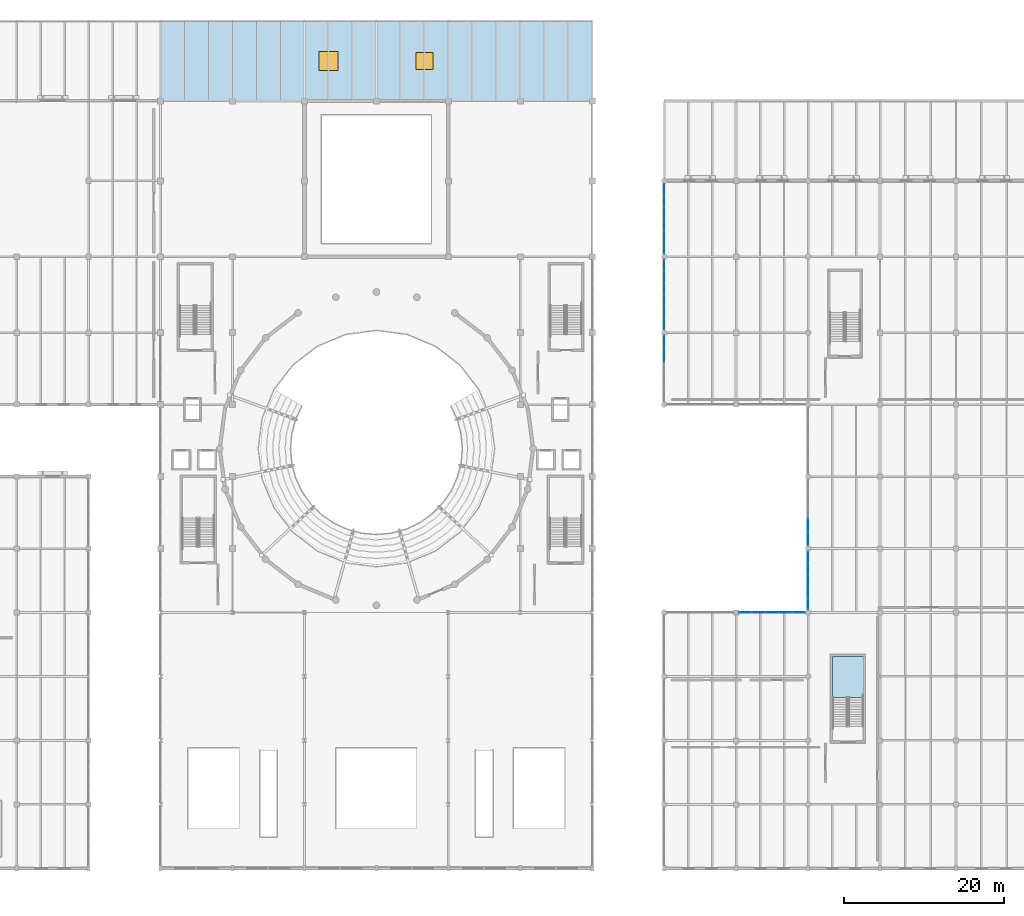
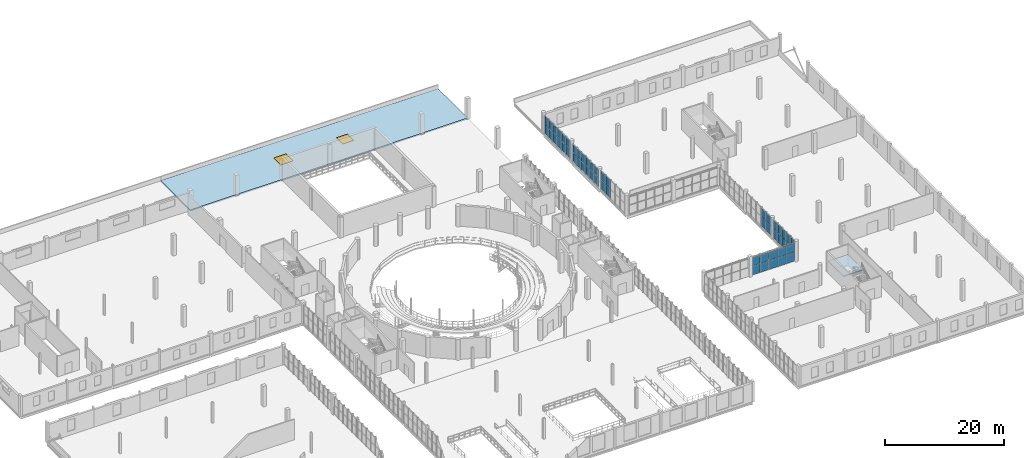
# One storey, part 56 of 85: 52 plates, 2 slabs, 2 windows, 2 openings, 7 elements without a shape of their own.
"""IFC4 building model written with IfcOpenShell, lengths in metres."""

from ifc_helpers import new_model, si_unit, direction, frame, origin, origin_2d, place, context, subcontext, project, spatial, polyline, rectangle, outline, extrude, material, layer, layer_set, type_object, element, fill, aggregate, save


model = new_model("IFC4")

# Units and contexts
model_context = context("Model", 3, precision=1e-05, world=origin(), true_north=direction((0.0, 1.0)))
body_context = subcontext(model_context, "Body", "Model", "MODEL_VIEW")
ifc_project = project(units=[si_unit("LENGTHUNIT", "METRE"), si_unit("AREAUNIT", "SQUARE_METRE"), si_unit("VOLUMEUNIT", "CUBIC_METRE"), si_unit("PLANEANGLEUNIT", "RADIAN"), si_unit("MASSUNIT", "GRAM", prefix="KILO")], contexts=[model_context])

# Site, building, storey
site_placement = place(None, origin())
site = spatial("IfcSite", under=ifc_project, at=site_placement, CompositionType="ELEMENT")
building_placement = place(site_placement, origin())
building = spatial("IfcBuilding", under=site, at=building_placement, Name="Marnock Terrace Opera House", CompositionType="ELEMENT")
storey_placement = place(building_placement, frame((0.0, 0.0, 10.199951171875)))
storey = spatial("IfcBuildingStorey", under=building, at=storey_placement, Name="L02", CompositionType="ELEMENT", Elevation=10.199951171875)

# Curtain wall, plates
ifc_material_1 = material(Name="Anodised architectural bronze aluminium framing", Category="aluminium")
ifc_layer_1 = layer(ifc_material_1, 0.159912109375)
ifc_layer_set_1 = layer_set([ifc_layer_1], Name="Anodised architectural bronze aluminium framing")
curtain_wall_type_1 = type_object("IfcCurtainWallType", Name="CW-LOGGIA-86x42", PredefinedType="NOTDEFINED", material=ifc_layer_set_1)
curtain_wall_1_placement = place(storey_placement, origin())
curtain_wall_1 = element("IfcCurtainWall", 1, at=curtain_wall_1_placement, inside=storey, type_object=curtain_wall_type_1, Name="L02 glazed Beaux-Arts colonnade curtain wall CW-V5-L02-CS2", PredefinedType="NOTDEFINED")
ifc_material_2 = material(Name="Double-glazed acoustic low-E laminated glass", Category="glass")
ifc_layer_2 = layer(ifc_material_2, 0.028076171875)
ifc_layer_set_2 = layer_set([ifc_layer_2], Name="Double-glazed acoustic low-E laminated glass")
plate_type = type_object("IfcPlateType", Name="CWP-GLZ-28", PredefinedType="CURTAIN_PANEL", material=ifc_layer_set_2)
plate_1_placement = place(storey_placement, frame((128.169189453125, 40.0, 0.06005859375), z_axis=(0.0, 0.0, 1.0), x_axis=(1.0, 0.0, 0.0)))
plate_1 = element("IfcPlate", 2, at=plate_1_placement, type_object=plate_type, Name="CW-66 panel 1.1", PredefinedType="CURTAIN_PANEL", context=body_context, shape_type="SweptSolid", body=[
    extrude(rectangle(XDim=1.57666015625, YDim=0.028076171875, at=origin_2d()), origin(), (0.0, 0.0, 1.0), 1.822021484375),
])
plate_2_placement = place(storey_placement, frame((128.169189453125, 40.0, 1.94189453125), z_axis=(0.0, 0.0, 1.0), x_axis=(1.0, 0.0, 0.0)))
plate_2 = element("IfcPlate", 3, at=plate_2_placement, type_object=plate_type, Name="CW-66 panel 1.2", PredefinedType="CURTAIN_PANEL", context=body_context, shape_type="SweptSolid", body=[
    extrude(rectangle(XDim=1.57666015625, YDim=0.028076171875, at=origin_2d()), origin(), (0.0, 0.0, 1.0), 1.675048828125),
])
plate_3_placement = place(storey_placement, frame((129.82080078125, 40.0, 0.06005859375), z_axis=(0.0, 0.0, 1.0), x_axis=(1.0, 0.0, 0.0)))
plate_3 = element("IfcPlate", 4, at=plate_3_placement, type_object=plate_type, Name="CW-66 panel 2.1", PredefinedType="CURTAIN_PANEL", context=body_context, shape_type="SweptSolid", body=[
    extrude(rectangle(XDim=1.606689453125, YDim=0.028076171875, at=origin_2d()), origin(), (0.0, 0.0, 1.0), 1.822021484375),
])
plate_4_placement = place(storey_placement, frame((129.82080078125, 40.0, 1.94189453125), z_axis=(0.0, 0.0, 1.0), x_axis=(1.0, 0.0, 0.0)))
plate_4 = element("IfcPlate", 5, at=plate_4_placement, type_object=plate_type, Name="CW-66 panel 2.2", PredefinedType="CURTAIN_PANEL", context=body_context, shape_type="SweptSolid", body=[
    extrude(rectangle(XDim=1.606689453125, YDim=0.028076171875, at=origin_2d()), origin(), (0.0, 0.0, 1.0), 1.675048828125),
])
plate_5_placement = place(storey_placement, frame((131.487548828125, 40.0, 0.06005859375), z_axis=(0.0, 0.0, 1.0), x_axis=(1.0, 0.0, 0.0)))
plate_5 = element("IfcPlate", 6, at=plate_5_placement, type_object=plate_type, Name="CW-66 panel 3.1", PredefinedType="CURTAIN_PANEL", context=body_context, shape_type="SweptSolid", body=[
    extrude(rectangle(XDim=1.606689453125, YDim=0.028076171875, at=origin_2d()), origin(), (0.0, 0.0, 1.0), 1.822021484375),
])
plate_6_placement = place(storey_placement, frame((131.487548828125, 40.0, 1.94189453125), z_axis=(0.0, 0.0, 1.0), x_axis=(1.0, 0.0, 0.0)))
plate_6 = element("IfcPlate", 7, at=plate_6_placement, type_object=plate_type, Name="CW-66 panel 3.2", PredefinedType="CURTAIN_PANEL", context=body_context, shape_type="SweptSolid", body=[
    extrude(rectangle(XDim=1.606689453125, YDim=0.028076171875, at=origin_2d()), origin(), (0.0, 0.0, 1.0), 1.675048828125),
])
plate_7_placement = place(storey_placement, frame((133.154052734375, 40.0, 0.06005859375), z_axis=(0.0, 0.0, 1.0), x_axis=(1.0, 0.0, 0.0)))
plate_7 = element("IfcPlate", 8, at=plate_7_placement, type_object=plate_type, Name="CW-66 panel 4.1", PredefinedType="CURTAIN_PANEL", context=body_context, shape_type="SweptSolid", body=[
    extrude(rectangle(XDim=1.606689453125, YDim=0.028076171875, at=origin_2d()), origin(), (0.0, 0.0, 1.0), 1.822021484375),
])
plate_8_placement = place(storey_placement, frame((133.154052734375, 40.0, 1.94189453125), z_axis=(0.0, 0.0, 1.0), x_axis=(1.0, 0.0, 0.0)))
plate_8 = element("IfcPlate", 9, at=plate_8_placement, type_object=plate_type, Name="CW-66 panel 4.2", PredefinedType="CURTAIN_PANEL", context=body_context, shape_type="SweptSolid", body=[
    extrude(rectangle(XDim=1.606689453125, YDim=0.028076171875, at=origin_2d()), origin(), (0.0, 0.0, 1.0), 1.675048828125),
])
plate_9_placement = place(storey_placement, frame((134.8056640625, 40.0, 0.06005859375), z_axis=(0.0, 0.0, 1.0), x_axis=(1.0, 0.0, 0.0)))
plate_9 = element("IfcPlate", 10, at=plate_9_placement, type_object=plate_type, Name="CW-66 panel 5.1", PredefinedType="CURTAIN_PANEL", context=body_context, shape_type="SweptSolid", body=[
    extrude(rectangle(XDim=1.57666015625, YDim=0.028076171875, at=origin_2d()), origin(), (0.0, 0.0, 1.0), 1.822021484375),
])
plate_10_placement = place(storey_placement, frame((134.8056640625, 40.0, 1.94189453125), z_axis=(0.0, 0.0, 1.0), x_axis=(1.0, 0.0, 0.0)))
plate_10 = element("IfcPlate", 11, at=plate_10_placement, type_object=plate_type, Name="CW-66 panel 5.2", PredefinedType="CURTAIN_PANEL", context=body_context, shape_type="SweptSolid", body=[
    extrude(rectangle(XDim=1.57666015625, YDim=0.028076171875, at=origin_2d()), origin(), (0.0, 0.0, 1.0), 1.675048828125),
])
aggregate(curtain_wall_1, [plate_1, plate_2, plate_3, plate_4, plate_5, plate_6, plate_7, plate_8, plate_9, plate_10])

curtain_wall_2_placement = place(storey_placement, origin())
curtain_wall_2 = element("IfcCurtainWall", 12, at=curtain_wall_2_placement, inside=storey, type_object=curtain_wall_type_1, Name="L02 glazed Beaux-Arts colonnade curtain wall CW-V5-L02-CE1", PredefinedType="NOTDEFINED")
plate_11_placement = place(storey_placement, frame((136.0, 41.091796875, 0.06005859375), z_axis=(0.0, 0.0, 1.0), x_axis=(0.0, 1.0, 0.0)))
plate_11 = element("IfcPlate", 13, at=plate_11_placement, type_object=plate_type, Name="CW-66 panel 1.1", PredefinedType="CURTAIN_PANEL", context=body_context, shape_type="SweptSolid", body=[
    extrude(rectangle(XDim=1.37158203125, YDim=0.028076171875, at=origin_2d()), origin(), (0.0, 0.0, 1.0), 1.914306640625),
])
plate_12_placement = place(storey_placement, frame((136.0, 41.091796875, 2.0341796875), z_axis=(0.0, 0.0, 1.0), x_axis=(0.0, 1.0, 0.0)))
plate_12 = element("IfcPlate", 14, at=plate_12_placement, type_object=plate_type, Name="CW-66 panel 1.2", PredefinedType="CURTAIN_PANEL", context=body_context, shape_type="SweptSolid", body=[
    extrude(rectangle(XDim=1.37158203125, YDim=0.028076171875, at=origin_2d()), origin(), (0.0, 0.0, 1.0), 1.760009765625),
])
plate_13_placement = place(storey_placement, frame((136.0, 42.538330078125, 0.06005859375), z_axis=(0.0, 0.0, 1.0), x_axis=(0.0, 1.0, 0.0)))
plate_13 = element("IfcPlate", 15, at=plate_13_placement, type_object=plate_type, Name="CW-66 panel 2.1", PredefinedType="CURTAIN_PANEL", context=body_context, shape_type="SweptSolid", body=[
    extrude(rectangle(XDim=1.401611328125, YDim=0.028076171875, at=origin_2d()), origin(), (0.0, 0.0, 1.0), 1.914306640625),
])
plate_14_placement = place(storey_placement, frame((136.0, 42.538330078125, 2.0341796875), z_axis=(0.0, 0.0, 1.0), x_axis=(0.0, 1.0, 0.0)))
plate_14 = element("IfcPlate", 16, at=plate_14_placement, type_object=plate_type, Name="CW-66 panel 2.2", PredefinedType="CURTAIN_PANEL", context=body_context, shape_type="SweptSolid", body=[
    extrude(rectangle(XDim=1.401611328125, YDim=0.028076171875, at=origin_2d()), origin(), (0.0, 0.0, 1.0), 1.760009765625),
])
plate_15_placement = place(storey_placement, frame((136.0, 44.0, 0.06005859375), z_axis=(0.0, 0.0, 1.0), x_axis=(0.0, 1.0, 0.0)))
plate_15 = element("IfcPlate", 17, at=plate_15_placement, type_object=plate_type, Name="CW-66 panel 3.1", PredefinedType="CURTAIN_PANEL", context=body_context, shape_type="SweptSolid", body=[
    extrude(rectangle(XDim=1.401611328125, YDim=0.028076171875, at=origin_2d()), origin(), (0.0, 0.0, 1.0), 1.914306640625),
])
plate_16_placement = place(storey_placement, frame((136.0, 44.0, 2.0341796875), z_axis=(0.0, 0.0, 1.0), x_axis=(0.0, 1.0, 0.0)))
plate_16 = element("IfcPlate", 18, at=plate_16_placement, type_object=plate_type, Name="CW-66 panel 3.2", PredefinedType="CURTAIN_PANEL", context=body_context, shape_type="SweptSolid", body=[
    extrude(rectangle(XDim=1.401611328125, YDim=0.028076171875, at=origin_2d()), origin(), (0.0, 0.0, 1.0), 1.760009765625),
])
plate_17_placement = place(storey_placement, frame((136.0, 45.461669921875, 0.06005859375), z_axis=(0.0, 0.0, 1.0), x_axis=(0.0, 1.0, 0.0)))
plate_17 = element("IfcPlate", 19, at=plate_17_placement, type_object=plate_type, Name="CW-66 panel 4.1", PredefinedType="CURTAIN_PANEL", context=body_context, shape_type="SweptSolid", body=[
    extrude(rectangle(XDim=1.401611328125, YDim=0.028076171875, at=origin_2d()), origin(), (0.0, 0.0, 1.0), 1.914306640625),
])
plate_18_placement = place(storey_placement, frame((136.0, 45.461669921875, 2.0341796875), z_axis=(0.0, 0.0, 1.0), x_axis=(0.0, 1.0, 0.0)))
plate_18 = element("IfcPlate", 20, at=plate_18_placement, type_object=plate_type, Name="CW-66 panel 4.2", PredefinedType="CURTAIN_PANEL", context=body_context, shape_type="SweptSolid", body=[
    extrude(rectangle(XDim=1.401611328125, YDim=0.028076171875, at=origin_2d()), origin(), (0.0, 0.0, 1.0), 1.760009765625),
])
plate_19_placement = place(storey_placement, frame((136.0, 46.908203125, 0.06005859375), z_axis=(0.0, 0.0, 1.0), x_axis=(0.0, 1.0, 0.0)))
plate_19 = element("IfcPlate", 21, at=plate_19_placement, type_object=plate_type, Name="CW-66 panel 5.1", PredefinedType="CURTAIN_PANEL", context=body_context, shape_type="SweptSolid", body=[
    extrude(rectangle(XDim=1.37158203125, YDim=0.028076171875, at=origin_2d()), origin(), (0.0, 0.0, 1.0), 1.914306640625),
])
plate_20_placement = place(storey_placement, frame((136.0, 46.908203125, 2.0341796875), z_axis=(0.0, 0.0, 1.0), x_axis=(0.0, 1.0, 0.0)))
plate_20 = element("IfcPlate", 22, at=plate_20_placement, type_object=plate_type, Name="CW-66 panel 5.2", PredefinedType="CURTAIN_PANEL", context=body_context, shape_type="SweptSolid", body=[
    extrude(rectangle(XDim=1.37158203125, YDim=0.028076171875, at=origin_2d()), origin(), (0.0, 0.0, 1.0), 1.760009765625),
])
aggregate(curtain_wall_2, [plate_11, plate_12, plate_13, plate_14, plate_15, plate_16, plate_17, plate_18, plate_19, plate_20])

curtain_wall_3_placement = place(storey_placement, origin())
curtain_wall_3 = element("IfcCurtainWall", 23, at=curtain_wall_3_placement, inside=storey, type_object=curtain_wall_type_1, Name="L02 glazed Beaux-Arts colonnade curtain wall CW-V5-L02-CE2", PredefinedType="NOTDEFINED")
plate_21_placement = place(storey_placement, frame((136.0, 49.19189453125, 0.06005859375), z_axis=(0.0, 0.0, 1.0), x_axis=(0.0, 1.0, 0.0)))
plate_21 = element("IfcPlate", 24, at=plate_21_placement, type_object=plate_type, Name="CW-66 panel 1.1", PredefinedType="CURTAIN_PANEL", context=body_context, shape_type="SweptSolid", body=[
    extrude(rectangle(XDim=1.571533203125, YDim=0.028076171875, at=origin_2d()), origin(), (0.0, 0.0, 1.0), 1.914306640625),
])
plate_22_placement = place(storey_placement, frame((136.0, 49.19189453125, 2.0341796875), z_axis=(0.0, 0.0, 1.0), x_axis=(0.0, 1.0, 0.0)))
plate_22 = element("IfcPlate", 25, at=plate_22_placement, type_object=plate_type, Name="CW-66 panel 1.2", PredefinedType="CURTAIN_PANEL", context=body_context, shape_type="SweptSolid", body=[
    extrude(rectangle(XDim=1.571533203125, YDim=0.028076171875, at=origin_2d()), origin(), (0.0, 0.0, 1.0), 1.760009765625),
])
plate_23_placement = place(storey_placement, frame((136.0, 50.83837890625, 0.06005859375), z_axis=(0.0, 0.0, 1.0), x_axis=(0.0, 1.0, 0.0)))
plate_23 = element("IfcPlate", 26, at=plate_23_placement, type_object=plate_type, Name="CW-66 panel 2.1", PredefinedType="CURTAIN_PANEL", context=body_context, shape_type="SweptSolid", body=[
    extrude(rectangle(XDim=1.6015625, YDim=0.028076171875, at=origin_2d()), origin(), (0.0, 0.0, 1.0), 1.914306640625),
])
plate_24_placement = place(storey_placement, frame((136.0, 50.83837890625, 2.0341796875), z_axis=(0.0, 0.0, 1.0), x_axis=(0.0, 1.0, 0.0)))
plate_24 = element("IfcPlate", 27, at=plate_24_placement, type_object=plate_type, Name="CW-66 panel 2.2", PredefinedType="CURTAIN_PANEL", context=body_context, shape_type="SweptSolid", body=[
    extrude(rectangle(XDim=1.6015625, YDim=0.028076171875, at=origin_2d()), origin(), (0.0, 0.0, 1.0), 1.760009765625),
])
aggregate(curtain_wall_3, [plate_21, plate_22, plate_23, plate_24])

curtain_wall_4_placement = place(storey_placement, origin())
curtain_wall_4 = element("IfcCurtainWall", 28, at=curtain_wall_4_placement, inside=storey, type_object=curtain_wall_type_1, Name="L02 glazed Beaux-Arts colonnade curtain wall CW-V5-L02-W5", PredefinedType="NOTDEFINED")
plate_25_placement = place(storey_placement, frame((118.0, 72.16162109375, 0.06005859375), z_axis=(0.0, 0.0, 1.0), x_axis=(0.0, 1.0, 0.0)))
plate_25 = element("IfcPlate", 29, at=plate_25_placement, type_object=plate_type, Name="CW-66 panel 4.1", PredefinedType="CURTAIN_PANEL", context=body_context, shape_type="SweptSolid", body=[
    extrude(rectangle(XDim=1.6015625, YDim=0.028076171875, at=origin_2d()), origin(), (0.0, 0.0, 1.0), 1.914306640625),
])
plate_26_placement = place(storey_placement, frame((118.0, 72.16162109375, 2.0341796875), z_axis=(0.0, 0.0, 1.0), x_axis=(0.0, 1.0, 0.0)))
plate_26 = element("IfcPlate", 30, at=plate_26_placement, type_object=plate_type, Name="CW-66 panel 4.2", PredefinedType="CURTAIN_PANEL", context=body_context, shape_type="SweptSolid", body=[
    extrude(rectangle(XDim=1.6015625, YDim=0.028076171875, at=origin_2d()), origin(), (0.0, 0.0, 1.0), 1.760009765625),
])
plate_27_placement = place(storey_placement, frame((118.0, 73.80810546875, 0.06005859375), z_axis=(0.0, 0.0, 1.0), x_axis=(0.0, 1.0, 0.0)))
plate_27 = element("IfcPlate", 31, at=plate_27_placement, type_object=plate_type, Name="CW-66 panel 5.1", PredefinedType="CURTAIN_PANEL", context=body_context, shape_type="SweptSolid", body=[
    extrude(rectangle(XDim=1.571533203125, YDim=0.028076171875, at=origin_2d()), origin(), (0.0, 0.0, 1.0), 1.914306640625),
])
plate_28_placement = place(storey_placement, frame((118.0, 73.80810546875, 2.0341796875), z_axis=(0.0, 0.0, 1.0), x_axis=(0.0, 1.0, 0.0)))
plate_28 = element("IfcPlate", 32, at=plate_28_placement, type_object=plate_type, Name="CW-66 panel 5.2", PredefinedType="CURTAIN_PANEL", context=body_context, shape_type="SweptSolid", body=[
    extrude(rectangle(XDim=1.571533203125, YDim=0.028076171875, at=origin_2d()), origin(), (0.0, 0.0, 1.0), 1.760009765625),
])
aggregate(curtain_wall_4, [plate_25, plate_26, plate_27, plate_28])

ifc_layer_3 = layer(ifc_material_1, 0.159912109375)
ifc_layer_set_3 = layer_set([ifc_layer_3], Name="Anodised architectural bronze aluminium framing")
curtain_wall_type_2 = type_object("IfcCurtainWallType", Name="CW-FOYER-95x42", PredefinedType="NOTDEFINED", material=ifc_layer_set_3)
curtain_wall_5_placement = place(storey_placement, origin())
curtain_wall_5 = element("IfcCurtainWall", 33, at=curtain_wall_5_placement, inside=storey, type_object=curtain_wall_type_2, Name="L02 glazed Beaux-Arts colonnade curtain wall CW-V5-L02-W6", PredefinedType="NOTDEFINED")
plate_29_placement = place(storey_placement, frame((118.0, 76.094970703125, 0.06005859375), z_axis=(0.0, 0.0, 1.0), x_axis=(0.0, 1.0, 0.0)))
plate_29 = element("IfcPlate", 34, at=plate_29_placement, type_object=plate_type, Name="CW-17 panel 1.1", PredefinedType="CURTAIN_PANEL", context=body_context, shape_type="SweptSolid", body=[
    extrude(rectangle(XDim=1.3779296875, YDim=0.028076171875, at=origin_2d()), origin(), (0.0, 0.0, 1.0), 1.7861328125),
])
plate_30_placement = place(storey_placement, frame((118.0, 76.094970703125, 1.90625), z_axis=(0.0, 0.0, 1.0), x_axis=(0.0, 1.0, 0.0)))
plate_30 = element("IfcPlate", 35, at=plate_30_placement, type_object=plate_type, Name="CW-17 panel 1.2", PredefinedType="CURTAIN_PANEL", context=body_context, shape_type="SweptSolid", body=[
    extrude(rectangle(XDim=1.3779296875, YDim=0.028076171875, at=origin_2d()), origin(), (0.0, 0.0, 1.0), 1.641845703125),
])
plate_31_placement = place(storey_placement, frame((118.0, 77.548095703125, 0.06005859375), z_axis=(0.0, 0.0, 1.0), x_axis=(0.0, 1.0, 0.0)))
plate_31 = element("IfcPlate", 36, at=plate_31_placement, type_object=plate_type, Name="CW-17 panel 2.1", PredefinedType="CURTAIN_PANEL", context=body_context, shape_type="SweptSolid", body=[
    extrude(rectangle(XDim=1.407958984375, YDim=0.028076171875, at=origin_2d()), origin(), (0.0, 0.0, 1.0), 1.7861328125),
])
plate_32_placement = place(storey_placement, frame((118.0, 77.548095703125, 1.90625), z_axis=(0.0, 0.0, 1.0), x_axis=(0.0, 1.0, 0.0)))
plate_32 = element("IfcPlate", 37, at=plate_32_placement, type_object=plate_type, Name="CW-17 panel 2.2", PredefinedType="CURTAIN_PANEL", context=body_context, shape_type="SweptSolid", body=[
    extrude(rectangle(XDim=1.407958984375, YDim=0.028076171875, at=origin_2d()), origin(), (0.0, 0.0, 1.0), 1.641845703125),
])
plate_33_placement = place(storey_placement, frame((118.0, 79.01611328125, 0.06005859375), z_axis=(0.0, 0.0, 1.0), x_axis=(0.0, 1.0, 0.0)))
plate_33 = element("IfcPlate", 38, at=plate_33_placement, type_object=plate_type, Name="CW-17 panel 3.1", PredefinedType="CURTAIN_PANEL", context=body_context, shape_type="SweptSolid", body=[
    extrude(rectangle(XDim=1.407958984375, YDim=0.028076171875, at=origin_2d()), origin(), (0.0, 0.0, 1.0), 1.7861328125),
])
plate_34_placement = place(storey_placement, frame((118.0, 79.01611328125, 1.90625), z_axis=(0.0, 0.0, 1.0), x_axis=(0.0, 1.0, 0.0)))
plate_34 = element("IfcPlate", 39, at=plate_34_placement, type_object=plate_type, Name="CW-17 panel 3.2", PredefinedType="CURTAIN_PANEL", context=body_context, shape_type="SweptSolid", body=[
    extrude(rectangle(XDim=1.407958984375, YDim=0.028076171875, at=origin_2d()), origin(), (0.0, 0.0, 1.0), 1.641845703125),
])
plate_35_placement = place(storey_placement, frame((118.0, 80.48388671875, 0.06005859375), z_axis=(0.0, 0.0, 1.0), x_axis=(0.0, 1.0, 0.0)))
plate_35 = element("IfcPlate", 40, at=plate_35_placement, type_object=plate_type, Name="CW-17 panel 4.1", PredefinedType="CURTAIN_PANEL", context=body_context, shape_type="SweptSolid", body=[
    extrude(rectangle(XDim=1.407958984375, YDim=0.028076171875, at=origin_2d()), origin(), (0.0, 0.0, 1.0), 1.7861328125),
])
plate_36_placement = place(storey_placement, frame((118.0, 80.48388671875, 1.90625), z_axis=(0.0, 0.0, 1.0), x_axis=(0.0, 1.0, 0.0)))
plate_36 = element("IfcPlate", 41, at=plate_36_placement, type_object=plate_type, Name="CW-17 panel 4.2", PredefinedType="CURTAIN_PANEL", context=body_context, shape_type="SweptSolid", body=[
    extrude(rectangle(XDim=1.407958984375, YDim=0.028076171875, at=origin_2d()), origin(), (0.0, 0.0, 1.0), 1.641845703125),
])
plate_37_placement = place(storey_placement, frame((118.0, 81.951904296875, 0.06005859375), z_axis=(0.0, 0.0, 1.0), x_axis=(0.0, 1.0, 0.0)))
plate_37 = element("IfcPlate", 42, at=plate_37_placement, type_object=plate_type, Name="CW-17 panel 5.1", PredefinedType="CURTAIN_PANEL", context=body_context, shape_type="SweptSolid", body=[
    extrude(rectangle(XDim=1.407958984375, YDim=0.028076171875, at=origin_2d()), origin(), (0.0, 0.0, 1.0), 1.7861328125),
])
plate_38_placement = place(storey_placement, frame((118.0, 81.951904296875, 1.90625), z_axis=(0.0, 0.0, 1.0), x_axis=(0.0, 1.0, 0.0)))
plate_38 = element("IfcPlate", 43, at=plate_38_placement, type_object=plate_type, Name="CW-17 panel 5.2", PredefinedType="CURTAIN_PANEL", context=body_context, shape_type="SweptSolid", body=[
    extrude(rectangle(XDim=1.407958984375, YDim=0.028076171875, at=origin_2d()), origin(), (0.0, 0.0, 1.0), 1.641845703125),
])
plate_39_placement = place(storey_placement, frame((118.0, 83.405029296875, 0.06005859375), z_axis=(0.0, 0.0, 1.0), x_axis=(0.0, 1.0, 0.0)))
plate_39 = element("IfcPlate", 44, at=plate_39_placement, type_object=plate_type, Name="CW-17 panel 6.1", PredefinedType="CURTAIN_PANEL", context=body_context, shape_type="SweptSolid", body=[
    extrude(rectangle(XDim=1.3779296875, YDim=0.028076171875, at=origin_2d()), origin(), (0.0, 0.0, 1.0), 1.7861328125),
])
plate_40_placement = place(storey_placement, frame((118.0, 83.405029296875, 1.90625), z_axis=(0.0, 0.0, 1.0), x_axis=(0.0, 1.0, 0.0)))
plate_40 = element("IfcPlate", 45, at=plate_40_placement, type_object=plate_type, Name="CW-17 panel 6.2", PredefinedType="CURTAIN_PANEL", context=body_context, shape_type="SweptSolid", body=[
    extrude(rectangle(XDim=1.3779296875, YDim=0.028076171875, at=origin_2d()), origin(), (0.0, 0.0, 1.0), 1.641845703125),
])
aggregate(curtain_wall_5, [plate_29, plate_30, plate_31, plate_32, plate_33, plate_34, plate_35, plate_36, plate_37, plate_38, plate_39, plate_40])

curtain_wall_6_placement = place(storey_placement, origin())
curtain_wall_6 = element("IfcCurtainWall", 46, at=curtain_wall_6_placement, inside=storey, type_object=curtain_wall_type_2, Name="L02 glazed Beaux-Arts colonnade curtain wall CW-V5-L02-W7", PredefinedType="NOTDEFINED")
plate_41_placement = place(storey_placement, frame((118.0, 85.594970703125, 0.06005859375), z_axis=(0.0, 0.0, 1.0), x_axis=(0.0, 1.0, 0.0)))
plate_41 = element("IfcPlate", 47, at=plate_41_placement, type_object=plate_type, Name="CW-17 panel 1.1", PredefinedType="CURTAIN_PANEL", context=body_context, shape_type="SweptSolid", body=[
    extrude(rectangle(XDim=1.3779296875, YDim=0.028076171875, at=origin_2d()), origin(), (0.0, 0.0, 1.0), 1.82470703125),
])
plate_42_placement = place(storey_placement, frame((118.0, 85.594970703125, 1.94482421875), z_axis=(0.0, 0.0, 1.0), x_axis=(0.0, 1.0, 0.0)))
plate_42 = element("IfcPlate", 48, at=plate_42_placement, type_object=plate_type, Name="CW-17 panel 1.2", PredefinedType="CURTAIN_PANEL", context=body_context, shape_type="SweptSolid", body=[
    extrude(rectangle(XDim=1.3779296875, YDim=0.028076171875, at=origin_2d()), origin(), (0.0, 0.0, 1.0), 1.677490234375),
])
plate_43_placement = place(storey_placement, frame((118.0, 87.048095703125, 0.06005859375), z_axis=(0.0, 0.0, 1.0), x_axis=(0.0, 1.0, 0.0)))
plate_43 = element("IfcPlate", 49, at=plate_43_placement, type_object=plate_type, Name="CW-17 panel 2.1", PredefinedType="CURTAIN_PANEL", context=body_context, shape_type="SweptSolid", body=[
    extrude(rectangle(XDim=1.407958984375, YDim=0.028076171875, at=origin_2d()), origin(), (0.0, 0.0, 1.0), 1.82470703125),
])
plate_44_placement = place(storey_placement, frame((118.0, 87.048095703125, 1.94482421875), z_axis=(0.0, 0.0, 1.0), x_axis=(0.0, 1.0, 0.0)))
plate_44 = element("IfcPlate", 50, at=plate_44_placement, type_object=plate_type, Name="CW-17 panel 2.2", PredefinedType="CURTAIN_PANEL", context=body_context, shape_type="SweptSolid", body=[
    extrude(rectangle(XDim=1.407958984375, YDim=0.028076171875, at=origin_2d()), origin(), (0.0, 0.0, 1.0), 1.677490234375),
])
plate_45_placement = place(storey_placement, frame((118.0, 88.51611328125, 0.06005859375), z_axis=(0.0, 0.0, 1.0), x_axis=(0.0, 1.0, 0.0)))
plate_45 = element("IfcPlate", 51, at=plate_45_placement, type_object=plate_type, Name="CW-17 panel 3.1", PredefinedType="CURTAIN_PANEL", context=body_context, shape_type="SweptSolid", body=[
    extrude(rectangle(XDim=1.407958984375, YDim=0.028076171875, at=origin_2d()), origin(), (0.0, 0.0, 1.0), 1.82470703125),
])
plate_46_placement = place(storey_placement, frame((118.0, 88.51611328125, 1.94482421875), z_axis=(0.0, 0.0, 1.0), x_axis=(0.0, 1.0, 0.0)))
plate_46 = element("IfcPlate", 52, at=plate_46_placement, type_object=plate_type, Name="CW-17 panel 3.2", PredefinedType="CURTAIN_PANEL", context=body_context, shape_type="SweptSolid", body=[
    extrude(rectangle(XDim=1.407958984375, YDim=0.028076171875, at=origin_2d()), origin(), (0.0, 0.0, 1.0), 1.677490234375),
])
plate_47_placement = place(storey_placement, frame((118.0, 89.98388671875, 0.06005859375), z_axis=(0.0, 0.0, 1.0), x_axis=(0.0, 1.0, 0.0)))
plate_47 = element("IfcPlate", 53, at=plate_47_placement, type_object=plate_type, Name="CW-17 panel 4.1", PredefinedType="CURTAIN_PANEL", context=body_context, shape_type="SweptSolid", body=[
    extrude(rectangle(XDim=1.407958984375, YDim=0.028076171875, at=origin_2d()), origin(), (0.0, 0.0, 1.0), 1.82470703125),
])
plate_48_placement = place(storey_placement, frame((118.0, 89.98388671875, 1.94482421875), z_axis=(0.0, 0.0, 1.0), x_axis=(0.0, 1.0, 0.0)))
plate_48 = element("IfcPlate", 54, at=plate_48_placement, type_object=plate_type, Name="CW-17 panel 4.2", PredefinedType="CURTAIN_PANEL", context=body_context, shape_type="SweptSolid", body=[
    extrude(rectangle(XDim=1.407958984375, YDim=0.028076171875, at=origin_2d()), origin(), (0.0, 0.0, 1.0), 1.677490234375),
])
plate_49_placement = place(storey_placement, frame((118.0, 91.451904296875, 0.06005859375), z_axis=(0.0, 0.0, 1.0), x_axis=(0.0, 1.0, 0.0)))
plate_49 = element("IfcPlate", 55, at=plate_49_placement, type_object=plate_type, Name="CW-17 panel 5.1", PredefinedType="CURTAIN_PANEL", context=body_context, shape_type="SweptSolid", body=[
    extrude(rectangle(XDim=1.407958984375, YDim=0.028076171875, at=origin_2d()), origin(), (0.0, 0.0, 1.0), 1.82470703125),
])
plate_50_placement = place(storey_placement, frame((118.0, 91.451904296875, 1.94482421875), z_axis=(0.0, 0.0, 1.0), x_axis=(0.0, 1.0, 0.0)))
plate_50 = element("IfcPlate", 56, at=plate_50_placement, type_object=plate_type, Name="CW-17 panel 5.2", PredefinedType="CURTAIN_PANEL", context=body_context, shape_type="SweptSolid", body=[
    extrude(rectangle(XDim=1.407958984375, YDim=0.028076171875, at=origin_2d()), origin(), (0.0, 0.0, 1.0), 1.677490234375),
])
plate_51_placement = place(storey_placement, frame((118.0, 92.905029296875, 0.06005859375), z_axis=(0.0, 0.0, 1.0), x_axis=(0.0, 1.0, 0.0)))
plate_51 = element("IfcPlate", 57, at=plate_51_placement, type_object=plate_type, Name="CW-17 panel 6.1", PredefinedType="CURTAIN_PANEL", context=body_context, shape_type="SweptSolid", body=[
    extrude(rectangle(XDim=1.3779296875, YDim=0.028076171875, at=origin_2d()), origin(), (0.0, 0.0, 1.0), 1.82470703125),
])
plate_52_placement = place(storey_placement, frame((118.0, 92.905029296875, 1.94482421875), z_axis=(0.0, 0.0, 1.0), x_axis=(0.0, 1.0, 0.0)))
plate_52 = element("IfcPlate", 58, at=plate_52_placement, type_object=plate_type, Name="CW-17 panel 6.2", PredefinedType="CURTAIN_PANEL", context=body_context, shape_type="SweptSolid", body=[
    extrude(rectangle(XDim=1.3779296875, YDim=0.028076171875, at=origin_2d()), origin(), (0.0, 0.0, 1.0), 1.677490234375),
])
aggregate(curtain_wall_6, [plate_41, plate_42, plate_43, plate_44, plate_45, plate_46, plate_47, plate_48, plate_49, plate_50, plate_51, plate_52])

# Slab, openings, windows
ifc_material_3 = material(Name="Concrete N40 (f'c = 40 MPa)", Category="concrete")
ifc_layer_4 = layer(ifc_material_3, 0.260009765625)
ifc_layer_set_4 = layer_set([ifc_layer_4], Name="Concrete N40 (f'c = 40 MPa)")
slab_type_1 = type_object("IfcSlabType", Name="SL-FLR-260", PredefinedType="FLOOR", material=ifc_layer_set_4)
slab_1_placement = place(storey_placement, frame((0.0, 0.0, -0.260009765625)))
slab_1 = element("IfcSlab", 59, at=slab_1_placement, inside=storey, type_object=slab_type_1, Name="L02 structural roof slab SL-ROOF-REARSTAGE", PredefinedType="FLOOR", context=body_context, shape_type="SweptSolid", body=[
    extrude(outline(polyline([(55.0, 104.0), (109.0, 104.0), (109.0, 114.0), (55.0, 114.0), (55.0, 104.0)])), origin(), (0.0, 0.0, 1.0), 0.260009765625),
])
opening_1_placement = place(slab_1_placement, frame((76.0, 109.0, 0.0)))
opening_1 = element("IfcOpeningElement", 60, at=opening_1_placement, cuts=slab_1, Name="Opening WT-62", PredefinedType="OPENING", context=body_context, shape_type="SweptSolid", body=[
    extrude(rectangle(XDim=2.39990234375, YDim=2.39990234375, at=origin_2d()), frame((0.0, 0.0, -0.010009765625)), (0.0, 0.0, 1.0), 0.280029296875),
])
opening_2_placement = place(slab_1_placement, frame((88.0, 109.0, 0.0)))
opening_2 = element("IfcOpeningElement", 61, at=opening_2_placement, cuts=slab_1, Name="Opening WT-142", PredefinedType="OPENING", context=body_context, shape_type="SweptSolid", body=[
    extrude(rectangle(XDim=2.10009765625, YDim=2.10009765625, at=origin_2d()), frame((0.0, 0.0, -0.010009765625)), (0.0, 0.0, 1.0), 0.280029296875),
])
window_type_1 = type_object("IfcWindowType", Name="WT-DOME-2100", PartitioningType="SINGLE_PANEL", PredefinedType="LIGHTDOME", material=ifc_material_2)
window_1_placement = place(opening_2_placement, frame((0.0, 0.0, 0.2099609375)))
window_1 = element("IfcWindow", 62, at=window_1_placement, inside=storey, type_object=window_type_1, Name="Stage smoke lightdome LDM-RS-02", OverallHeight=2.10009765625, OverallWidth=2.10009765625, PartitioningType="SINGLE_PANEL", PredefinedType="LIGHTDOME", context=body_context, shape_type="SweptSolid", body=[
    extrude(rectangle(XDim=2.10009765625, YDim=2.10009765625, at=origin_2d()), origin(), (0.0, 0.0, 1.0), 0.050048828125),
])
fill(opening_2, window_1)
window_type_2 = type_object("IfcWindowType", Name="WT-DOME-2400", PartitioningType="SINGLE_PANEL", PredefinedType="LIGHTDOME", material=ifc_material_2)
window_2_placement = place(opening_1_placement, frame((0.0, 0.0, 0.2099609375)))
window_2 = element("IfcWindow", 63, at=window_2_placement, inside=storey, type_object=window_type_2, Name="Stage smoke lightdome LDM-RS-01", OverallHeight=2.39990234375, OverallWidth=2.39990234375, PartitioningType="SINGLE_PANEL", PredefinedType="LIGHTDOME", context=body_context, shape_type="SweptSolid", body=[
    extrude(rectangle(XDim=2.39990234375, YDim=2.39990234375, at=origin_2d()), origin(), (0.0, 0.0, 1.0), 0.050048828125),
])
fill(opening_1, window_2)

# Stair, slab
stair_type = type_object("IfcStairType", Name="ST-TYPE-2200", PredefinedType="HALF_TURN_STAIR", material=ifc_material_3)
stair_placement = place(storey_placement, origin())
stair = element("IfcStair", 64, at=stair_placement, inside=storey, type_object=stair_type, Name="L02 ST-06", PredefinedType="HALF_TURN_STAIR")
ifc_material_4 = material(Name="Concrete N32 (f'c = 32 MPa)", Category="concrete")
ifc_layer_5 = layer(ifc_material_4, 0.199951171875)
ifc_layer_set_5 = layer_set([ifc_layer_5], Name="Concrete N32 (f'c = 32 MPa)")
slab_type_2 = type_object("IfcSlabType", Name="SL-LAND-200", PredefinedType="LANDING", material=ifc_layer_set_5)
slab_2_placement = place(storey_placement, frame((0.0, 0.0, 2.050048828125)))
slab_2 = element("IfcSlab", 65, at=slab_2_placement, type_object=slab_type_2, Name="ST-06 landing 1", PredefinedType="LANDING", context=body_context, shape_type="SweptSolid", body=[
    extrude(outline(polyline([(142.919921875, 29.360107421875), (142.919921875, 34.52001953125), (139.0400390625, 34.52001953125), (139.0400390625, 29.360107421875), (142.919921875, 29.360107421875)])), origin(), (0.0, 0.0, 1.0), 0.199951171875),
])
aggregate(stair, [slab_2])

save(model, "model.ifc")
